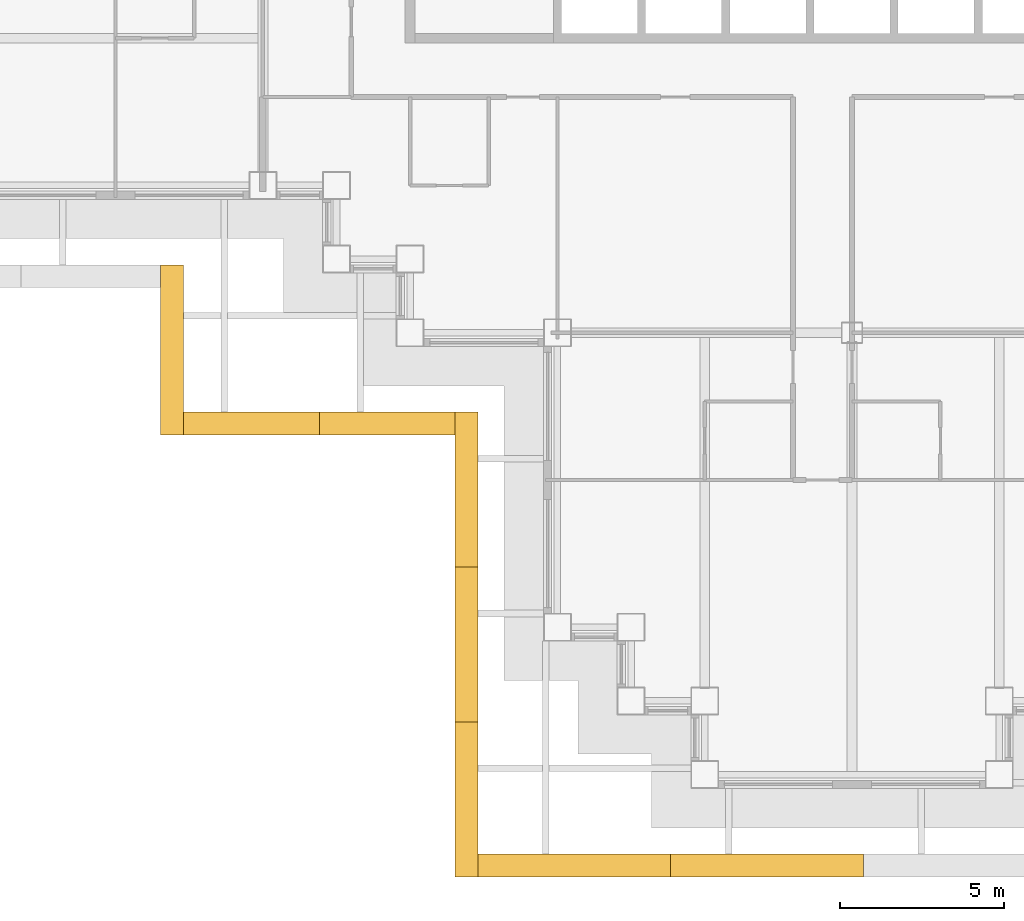
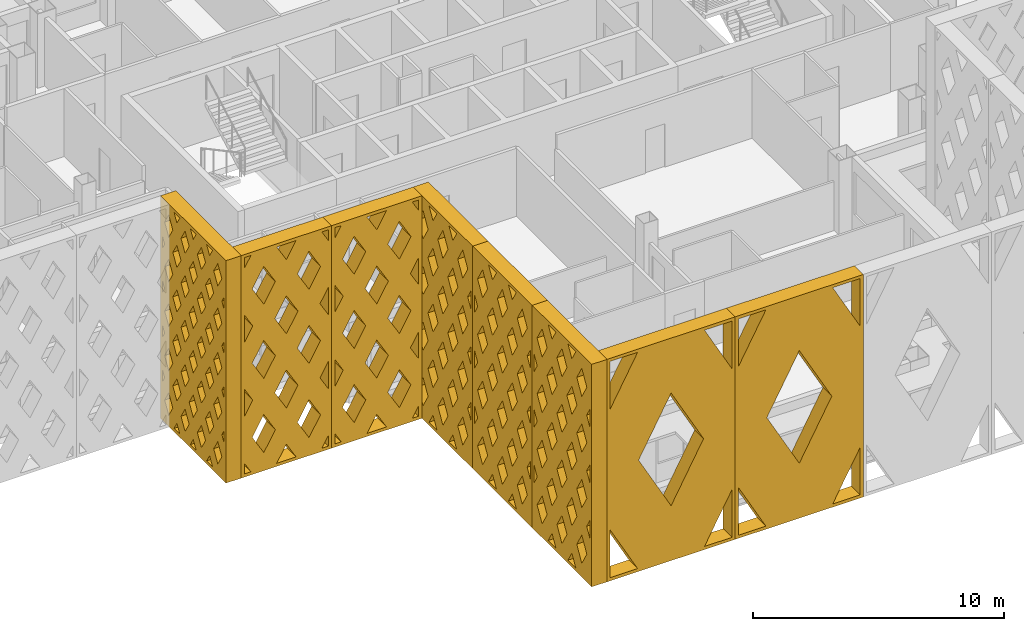
# One storey, part 15 of 21: 8 shading devices.
"""IFC4 building model written with IfcOpenShell, lengths in metres."""

import ifcopenshell
import ifcopenshell.guid

model = None  # the IFC model being written
_history = None  # IfcOwnerHistory: only IFC2X3 demands one
_inside = {}  # id of a spatial element -> (the spatial element, [elements in it])
_under = {}  # id of a project, library or spatial element -> (it, [spatial elements below it])
_declared = {}  # id of a project -> (the project, [libraries it declares])
_typed = {}  # id of a type object -> (the type object, [elements of that type])
_made_of = {}  # id of a material, layer set ... -> (it, [elements and type objects made of it])


def new_model(schema):
    """Start an empty IFC model of exactly this schema.

    Asked for "IFC4X3", IfcOpenShell would pick the latest addendum, in which some entities
    have other attributes; the version numbers below select the first issue.
    IFC2X3 requires an IfcOwnerHistory on every rooted entity: one is made here for all.
    """
    global model, _history
    if schema == "IFC4X3":
        model = ifcopenshell.file(schema_version=(4, 3, 0, 0))
    else:
        model = ifcopenshell.file(schema=schema)
    _inside.clear()
    _under.clear()
    _declared.clear()
    _typed.clear()
    _made_of.clear()
    _history = None
    if model.schema == "IFC2X3":
        org = make("IfcOrganization", Name="unknown")
        user = make(
            "IfcPersonAndOrganization",
            ThePerson=make("IfcPerson", FamilyName="unknown"),
            TheOrganization=org,
        )
        app = make(
            "IfcApplication",
            ApplicationDeveloper=org,
            Version="unknown",
            ApplicationFullName="unknown",
            ApplicationIdentifier="unknown",
        )
        _history = make(
            "IfcOwnerHistory",
            OwningUser=user,
            OwningApplication=app,
            ChangeAction="ADDED",
            CreationDate=0,
        )
    return model


def make(cls, **values):
    """One entity of the class cls with the attributes given. An attribute that is None is left unset."""
    return model.create_entity(
        cls, **{name: value for name, value in values.items() if value is not None}
    )


def rooted(cls, **values):
    """An entity with a GlobalId (a new one), such as an element, a storey or a relation."""
    return make(cls, GlobalId=ifcopenshell.guid.new(), OwnerHistory=_history, **values)


def si_unit(unit_type, name, prefix=None):
    """IfcSIUnit, for example si_unit("LENGTHUNIT", "METRE", prefix="MILLI")."""
    return make("IfcSIUnit", UnitType=unit_type, Prefix=prefix, Name=name)


def assignment(units):
    """IfcUnitAssignment: the units of a project."""
    return None if units is None else make("IfcUnitAssignment", Units=units)


def point(xyz):
    """IfcCartesianPoint."""
    return None if xyz is None else make("IfcCartesianPoint", Coordinates=xyz)


def direction(xyz):
    """IfcDirection."""
    return None if xyz is None else make("IfcDirection", DirectionRatios=xyz)


def frame(location, z_axis=None, x_axis=None):
    """IfcAxis2Placement3D, a coordinate frame: its origin and axes. An axis left out is left unset."""
    return make(
        "IfcAxis2Placement3D",
        Location=point(location),
        Axis=direction(z_axis),
        RefDirection=direction(x_axis),
    )


def origin():
    """The frame at (0, 0, 0) with its axes left unset."""
    return frame((0.0, 0.0, 0.0))


def place(relative_to, where):
    """IfcLocalPlacement: puts the frame where relative to a parent placement (None: the world)."""
    return make(
        "IfcLocalPlacement", PlacementRelTo=relative_to, RelativePlacement=where
    )


def context(
    kind, dimensions, precision=None, world=None, true_north=None, identifier=None
):
    """IfcGeometricRepresentationContext, for example the 3D "Model" context."""
    return make(
        "IfcGeometricRepresentationContext",
        ContextIdentifier=identifier,
        ContextType=kind,
        CoordinateSpaceDimension=dimensions,
        Precision=precision,
        WorldCoordinateSystem=world,
        TrueNorth=true_north,
    )


def subcontext(parent, identifier, kind, view, scale=None):
    """IfcGeometricRepresentationSubContext, for example "Body" below "Model"."""
    return make(
        "IfcGeometricRepresentationSubContext",
        ContextIdentifier=identifier,
        ContextType=kind,
        ParentContext=parent,
        TargetScale=scale,
        TargetView=view,
    )


def project(units=None, contexts=None):
    """IfcProject with its units and contexts."""
    return rooted(
        "IfcProject",
        Name="project",
        RepresentationContexts=contexts,
        UnitsInContext=assignment(units),
    )


def spatial(cls, under=None, at=None, **own):
    """A site, building, storey or space (cls), placed at a placement, below another one or the project."""
    s = rooted(cls, ObjectPlacement=at, **own)
    if under is not None:
        _under.setdefault(under.id(), (under, []))[1].append(s)
    return s


def polyline(points):
    """IfcPolyline through the points."""
    return make("IfcPolyline", Points=[point(p) for p in points])


def outline(outer, holes=None, kind="AREA"):
    """IfcArbitraryClosedProfileDef: a profile drawn as a closed curve; with holes, ...WithVoids."""
    if holes is None:
        return make("IfcArbitraryClosedProfileDef", ProfileType=kind, OuterCurve=outer)
    return make(
        "IfcArbitraryProfileDefWithVoids",
        ProfileType=kind,
        OuterCurve=outer,
        InnerCurves=holes,
    )


def extrude(swept, where, along, depth):
    """IfcExtrudedAreaSolid: the profile swept, set in the frame where, extruded along a direction by depth."""
    return make(
        "IfcExtrudedAreaSolid",
        SweptArea=swept,
        Position=where,
        ExtrudedDirection=direction(along),
        Depth=depth,
    )


def shape(context_of_items, identifier, shape_type, items):
    """IfcShapeRepresentation: the items that make up one representation, for example the "Body"."""
    return make(
        "IfcShapeRepresentation",
        ContextOfItems=context_of_items,
        RepresentationIdentifier=identifier,
        RepresentationType=shape_type,
        Items=items,
    )


def material(Name=None, Category=None):
    """IfcMaterial."""
    return make("IfcMaterial", Name=Name, Category=Category)


def made_of(thing, what):
    """Note that an element or type object is made of a material, layer set ...; save() writes the relation."""
    if what is not None:
        _made_of.setdefault(what.id(), (what, []))[1].append(thing)
    return thing


def type_object(cls, material=None, **own):
    """A type object (cls), such as IfcWallType, which elements share."""
    return made_of(rooted(cls, **own), material)


def element(
    cls,
    number,
    at=None,
    inside=None,
    cuts=None,
    type_object=None,
    material=None,
    context=None,
    identifier="Body",
    shape_type=None,
    held_by="IfcProductDefinitionShape",
    body=None,
    shapes=None,
    **own,
):
    """One element of the class cls, such as IfcWall. Its Tag is "e" and its number.

    at: its placement. inside: the storey or other place that contains it. cuts: it is an
    opening in that element (IfcRelVoidsElement). A single representation is given by context,
    identifier, shape_type and body (its items); several are given by shapes. held_by: the class
    of the entity that holds the representations. save() writes the other relations.
    """
    e = rooted(cls, Tag="e%d" % number, ObjectPlacement=at, **own)
    if body is not None:
        shapes = [shape(context, identifier, shape_type, body)]
    if shapes is not None:
        e.Representation = make(held_by, Representations=shapes)
    if inside is not None:
        _inside.setdefault(inside.id(), (inside, []))[1].append(e)
    if cuts is not None:
        rooted(
            "IfcRelVoidsElement", RelatingBuildingElement=cuts, RelatedOpeningElement=e
        )
    if type_object is not None:
        _typed.setdefault(type_object.id(), (type_object, []))[1].append(e)
    return made_of(e, material)


def aggregate(whole, parts):
    """IfcRelAggregates: a whole, such as a stair, and the parts it consists of."""
    return rooted("IfcRelAggregates", RelatingObject=whole, RelatedObjects=parts)


def save(model, path):
    """Write the relations noted so far, then the file.

    IfcRelAggregates (storeys below a building ...), IfcRelContainedInSpatialStructure (elements
    in a storey), IfcRelDefinesByType, IfcRelAssociatesMaterial and IfcRelDeclares: one each for
    every whole, place, type object, material and project.
    """
    for whole, parts in _under.values():
        aggregate(whole, parts)
    for where, things in _inside.values():
        rooted(
            "IfcRelContainedInSpatialStructure",
            RelatedElements=things,
            RelatingStructure=where,
        )
    for kind, things in _typed.values():
        rooted("IfcRelDefinesByType", RelatedObjects=things, RelatingType=kind)
    for what, things in _made_of.values():
        rooted("IfcRelAssociatesMaterial", RelatedObjects=things, RelatingMaterial=what)
    for by, libraries in _declared.values():
        rooted("IfcRelDeclares", RelatingContext=by, RelatedDefinitions=libraries)
    model.write(path)


model = new_model("IFC4")

# Units and contexts
model_context = context("Model", 3, precision=1e-05, world=origin(), true_north=direction((0.0, 1.0)))
body_context = subcontext(model_context, "Body", "Model", "MODEL_VIEW")
ifc_project = project(units=[si_unit("LENGTHUNIT", "METRE"), si_unit("AREAUNIT", "SQUARE_METRE"), si_unit("VOLUMEUNIT", "CUBIC_METRE"), si_unit("PLANEANGLEUNIT", "RADIAN"), si_unit("MASSUNIT", "GRAM", prefix="KILO")], contexts=[model_context])

# Site, building, storey
site_placement = place(None, origin())
site = spatial("IfcSite", under=ifc_project, at=site_placement, CompositionType="ELEMENT")
building_placement = place(site_placement, origin())
building = spatial("IfcBuilding", under=site, at=building_placement, Name="Caravel Reach Hotel and Residences", CompositionType="ELEMENT")
storey_placement = place(building_placement, frame((0.0, 0.0, 129.60009765625)))
storey = spatial("IfcBuildingStorey", under=building, at=storey_placement, Name="L32", CompositionType="ELEMENT", Elevation=129.60009765625)

# Shading devices
ifc_material_1 = material(Name="Black powder-coated aluminium", Category="aluminium")
shading_device_type_1 = type_object("IfcShadingDeviceType", Name="Diamond lattice screen panel 4150 x 10800", PredefinedType="USERDEFINED", material=ifc_material_1)
shading_device_1_placement = place(storey_placement, frame((11.074951171875, 11.074951171875, 0.0), z_axis=(0.0, -1.0, 0.0), x_axis=(1.0, 0.0, 0.0)))
element("IfcShadingDevice", 1, at=shading_device_1_placement, inside=storey, type_object=shading_device_type_1, Name="Lattice screen L32-L34 20.1", ObjectType="SCREEN", PredefinedType="USERDEFINED", context=body_context, shape_type="SweptSolid", body=[
    extrude(outline(polyline([(0.0, 0.0), (4.14990234375, 0.0), (4.14990234375, 10.800048828125), (0.0, 10.800048828125), (0.0, 0.0)]), holes=[polyline([(0.445556640625, 0.14990234375), (0.14990234375, 0.662841796875), (0.14990234375, 0.14990234375), (0.445556640625, 0.14990234375)]), polyline([(0.531982421875, 3.60009765625), (0.14990234375, 4.2626953125), (0.14990234375, 2.937255859375), (0.531982421875, 3.60009765625)]), polyline([(0.531982421875, 7.199951171875), (0.14990234375, 7.86279296875), (0.14990234375, 6.537353515625), (0.531982421875, 7.199951171875)]), polyline([(0.14990234375, 10.13720703125), (0.445556640625, 10.64990234375), (0.14990234375, 10.64990234375), (0.14990234375, 10.13720703125)]), polyline([(1.03759765625, 2.722900390625), (0.505615234375, 1.800048828125), (1.03759765625, 0.876953125), (1.569580078125, 1.800048828125), (1.03759765625, 2.722900390625)]), polyline([(1.03759765625, 6.322998046875), (0.505615234375, 5.39990234375), (1.03759765625, 4.47705078125), (1.569580078125, 5.39990234375), (1.03759765625, 6.322998046875)]), polyline([(1.03759765625, 9.9228515625), (0.505615234375, 9.0), (1.03759765625, 8.0771484375), (1.569580078125, 9.0), (1.03759765625, 9.9228515625)]), polyline([(2.074951171875, 0.9228515625), (1.62939453125, 0.14990234375), (2.5205078125, 0.14990234375), (2.074951171875, 0.9228515625)]), polyline([(2.074951171875, 4.52294921875), (1.54296875, 3.60009765625), (2.074951171875, 2.677001953125), (2.60693359375, 3.60009765625), (2.074951171875, 4.52294921875)]), polyline([(2.074951171875, 8.123046875), (1.54296875, 7.199951171875), (2.074951171875, 6.277099609375), (2.60693359375, 7.199951171875), (2.074951171875, 8.123046875)]), polyline([(2.074951171875, 9.876953125), (2.5205078125, 10.64990234375), (1.62939453125, 10.64990234375), (2.074951171875, 9.876953125)]), polyline([(3.112548828125, 2.722900390625), (2.58056640625, 1.800048828125), (3.112548828125, 0.876953125), (3.64453125, 1.800048828125), (3.112548828125, 2.722900390625)]), polyline([(3.112548828125, 6.322998046875), (2.58056640625, 5.39990234375), (3.112548828125, 4.47705078125), (3.64453125, 5.39990234375), (3.112548828125, 6.322998046875)]), polyline([(3.112548828125, 9.9228515625), (2.58056640625, 9.0), (3.112548828125, 8.0771484375), (3.64453125, 9.0), (3.112548828125, 9.9228515625)]), polyline([(4.0, 0.662841796875), (3.70458984375, 0.14990234375), (4.0, 0.14990234375), (4.0, 0.662841796875)]), polyline([(3.617919921875, 3.60009765625), (4.0, 2.937255859375), (4.0, 4.2626953125), (3.617919921875, 3.60009765625)]), polyline([(3.617919921875, 7.199951171875), (4.0, 6.537353515625), (4.0, 7.86279296875), (3.617919921875, 7.199951171875)]), polyline([(3.70458984375, 10.64990234375), (4.0, 10.13720703125), (4.0, 10.64990234375), (3.70458984375, 10.64990234375)])]), origin(), (0.0, 0.0, 1.0), 0.699951171875),
])
shading_device_2_placement = place(storey_placement, frame((15.22509765625, 11.074951171875, 0.0), z_axis=(0.0, -1.0, 0.0), x_axis=(1.0, 0.0, 0.0)))
element("IfcShadingDevice", 2, at=shading_device_2_placement, inside=storey, type_object=shading_device_type_1, Name="Lattice screen L32-L34 20.2", ObjectType="SCREEN", PredefinedType="USERDEFINED", context=body_context, shape_type="SweptSolid", body=[
    extrude(outline(polyline([(0.0, 0.0), (4.14990234375, 0.0), (4.14990234375, 10.800048828125), (0.0, 10.800048828125), (0.0, 0.0)]), holes=[polyline([(0.445556640625, 0.14990234375), (0.14990234375, 0.662841796875), (0.14990234375, 0.14990234375), (0.445556640625, 0.14990234375)]), polyline([(0.531982421875, 3.60009765625), (0.14990234375, 4.2626953125), (0.14990234375, 2.937255859375), (0.531982421875, 3.60009765625)]), polyline([(0.531982421875, 7.199951171875), (0.14990234375, 7.86279296875), (0.14990234375, 6.537353515625), (0.531982421875, 7.199951171875)]), polyline([(0.14990234375, 10.13720703125), (0.445556640625, 10.64990234375), (0.14990234375, 10.64990234375), (0.14990234375, 10.13720703125)]), polyline([(1.03759765625, 2.722900390625), (0.505615234375, 1.800048828125), (1.03759765625, 0.876953125), (1.569580078125, 1.800048828125), (1.03759765625, 2.722900390625)]), polyline([(1.03759765625, 6.322998046875), (0.505615234375, 5.39990234375), (1.03759765625, 4.47705078125), (1.569580078125, 5.39990234375), (1.03759765625, 6.322998046875)]), polyline([(1.03759765625, 9.9228515625), (0.505615234375, 9.0), (1.03759765625, 8.0771484375), (1.569580078125, 9.0), (1.03759765625, 9.9228515625)]), polyline([(2.074951171875, 0.9228515625), (1.62939453125, 0.14990234375), (2.5205078125, 0.14990234375), (2.074951171875, 0.9228515625)]), polyline([(2.074951171875, 4.52294921875), (1.54296875, 3.60009765625), (2.074951171875, 2.677001953125), (2.60693359375, 3.60009765625), (2.074951171875, 4.52294921875)]), polyline([(2.074951171875, 8.123046875), (1.54296875, 7.199951171875), (2.074951171875, 6.277099609375), (2.60693359375, 7.199951171875), (2.074951171875, 8.123046875)]), polyline([(2.074951171875, 9.876953125), (2.5205078125, 10.64990234375), (1.62939453125, 10.64990234375), (2.074951171875, 9.876953125)]), polyline([(3.112548828125, 2.722900390625), (2.58056640625, 1.800048828125), (3.112548828125, 0.876953125), (3.64453125, 1.800048828125), (3.112548828125, 2.722900390625)]), polyline([(3.112548828125, 6.322998046875), (2.58056640625, 5.39990234375), (3.112548828125, 4.47705078125), (3.64453125, 5.39990234375), (3.112548828125, 6.322998046875)]), polyline([(3.112548828125, 9.9228515625), (2.58056640625, 9.0), (3.112548828125, 8.0771484375), (3.64453125, 9.0), (3.112548828125, 9.9228515625)]), polyline([(4.0, 0.662841796875), (3.70458984375, 0.14990234375), (4.0, 0.14990234375), (4.0, 0.662841796875)]), polyline([(3.617919921875, 3.60009765625), (4.0, 2.937255859375), (4.0, 4.2626953125), (3.617919921875, 3.60009765625)]), polyline([(3.617919921875, 7.199951171875), (4.0, 6.537353515625), (4.0, 7.86279296875), (3.617919921875, 7.199951171875)]), polyline([(3.70458984375, 10.64990234375), (4.0, 10.13720703125), (4.0, 10.64990234375), (3.70458984375, 10.64990234375)])]), origin(), (0.0, 0.0, 1.0), 0.699951171875),
])
ifc_material_2 = material(Name="Black powder-coated aluminium", Category="aluminium")
shading_device_type_2 = type_object("IfcShadingDeviceType", Name="Diamond lattice screen panel 4733 x 10800", PredefinedType="USERDEFINED", material=ifc_material_2)
shading_device_3_placement = place(storey_placement, frame((20.074951171875, 11.074951171875, 0.0), z_axis=(-1.0, 0.0, 0.0), x_axis=(0.0, -1.0, 0.0)))
element("IfcShadingDevice", 3, at=shading_device_3_placement, inside=storey, type_object=shading_device_type_2, Name="Lattice screen L32-L34 1.1", ObjectType="SCREEN", PredefinedType="USERDEFINED", context=body_context, shape_type="SweptSolid", body=[
    extrude(outline(polyline([(0.0, 0.0), (4.7333984375, 0.0), (4.7333984375, 10.800048828125), (0.0, 10.800048828125), (0.0, 0.0)]), holes=[polyline([(0.4013671875, 2.699951171875), (0.14990234375, 3.130126953125), (0.14990234375, 2.269775390625), (0.4013671875, 2.699951171875)]), polyline([(0.4013671875, 5.39990234375), (0.14990234375, 5.830078125), (0.14990234375, 4.969970703125), (0.4013671875, 5.39990234375)]), polyline([(0.4013671875, 8.10009765625), (0.14990234375, 8.530029296875), (0.14990234375, 7.669921875), (0.4013671875, 8.10009765625)]), polyline([(0.788818359375, 2.036865234375), (0.387451171875, 1.35009765625), (0.788818359375, 0.6630859375), (1.190185546875, 1.35009765625), (0.788818359375, 2.036865234375)]), polyline([(0.788818359375, 4.73681640625), (0.387451171875, 4.050048828125), (0.788818359375, 3.36328125), (1.190185546875, 4.050048828125), (0.788818359375, 4.73681640625)]), polyline([(0.788818359375, 7.436767578125), (0.387451171875, 6.75), (0.788818359375, 6.063232421875), (1.190185546875, 6.75), (0.788818359375, 7.436767578125)]), polyline([(0.788818359375, 10.13671875), (0.387451171875, 9.449951171875), (0.788818359375, 8.76318359375), (1.190185546875, 9.449951171875), (0.788818359375, 10.13671875)]), polyline([(1.577880859375, 0.686767578125), (1.26416015625, 0.14990234375), (1.8916015625, 0.14990234375), (1.577880859375, 0.686767578125)]), polyline([(1.577880859375, 3.38671875), (1.176513671875, 2.699951171875), (1.577880859375, 2.01318359375), (1.979248046875, 2.699951171875), (1.577880859375, 3.38671875)]), polyline([(1.577880859375, 6.0869140625), (1.176513671875, 5.39990234375), (1.577880859375, 4.713134765625), (1.979248046875, 5.39990234375), (1.577880859375, 6.0869140625)]), polyline([(1.577880859375, 8.786865234375), (1.176513671875, 8.10009765625), (1.577880859375, 7.4130859375), (1.979248046875, 8.10009765625), (1.577880859375, 8.786865234375)]), polyline([(1.577880859375, 10.11328125), (1.8916015625, 10.64990234375), (1.26416015625, 10.64990234375), (1.577880859375, 10.11328125)]), polyline([(2.36669921875, 2.036865234375), (1.96533203125, 1.35009765625), (2.36669921875, 0.6630859375), (2.76806640625, 1.35009765625), (2.36669921875, 2.036865234375)]), polyline([(2.36669921875, 4.73681640625), (1.96533203125, 4.050048828125), (2.36669921875, 3.36328125), (2.76806640625, 4.050048828125), (2.36669921875, 4.73681640625)]), polyline([(2.36669921875, 7.436767578125), (1.96533203125, 6.75), (2.36669921875, 6.063232421875), (2.76806640625, 6.75), (2.36669921875, 7.436767578125)]), polyline([(2.36669921875, 10.13671875), (1.96533203125, 9.449951171875), (2.36669921875, 8.76318359375), (2.76806640625, 9.449951171875), (2.36669921875, 10.13671875)]), polyline([(3.155517578125, 0.686767578125), (2.841796875, 0.14990234375), (3.46923828125, 0.14990234375), (3.155517578125, 0.686767578125)]), polyline([(3.155517578125, 3.38671875), (2.754150390625, 2.699951171875), (3.155517578125, 2.01318359375), (3.556884765625, 2.699951171875), (3.155517578125, 3.38671875)]), polyline([(3.155517578125, 6.0869140625), (2.754150390625, 5.39990234375), (3.155517578125, 4.713134765625), (3.556884765625, 5.39990234375), (3.155517578125, 6.0869140625)]), polyline([(3.155517578125, 8.786865234375), (2.754150390625, 8.10009765625), (3.155517578125, 7.4130859375), (3.556884765625, 8.10009765625), (3.155517578125, 8.786865234375)]), polyline([(3.155517578125, 10.11328125), (3.46923828125, 10.64990234375), (2.841796875, 10.64990234375), (3.155517578125, 10.11328125)]), polyline([(3.9443359375, 2.036865234375), (3.54296875, 1.35009765625), (3.9443359375, 0.6630859375), (4.345703125, 1.35009765625), (3.9443359375, 2.036865234375)]), polyline([(3.9443359375, 4.73681640625), (3.54296875, 4.050048828125), (3.9443359375, 3.36328125), (4.345703125, 4.050048828125), (3.9443359375, 4.73681640625)]), polyline([(3.9443359375, 7.436767578125), (3.54296875, 6.75), (3.9443359375, 6.063232421875), (4.345703125, 6.75), (3.9443359375, 7.436767578125)]), polyline([(3.9443359375, 10.13671875), (3.54296875, 9.449951171875), (3.9443359375, 8.76318359375), (4.345703125, 9.449951171875), (3.9443359375, 10.13671875)]), polyline([(4.33203125, 2.699951171875), (4.583251953125, 2.269775390625), (4.583251953125, 3.130126953125), (4.33203125, 2.699951171875)]), polyline([(4.33203125, 5.39990234375), (4.583251953125, 4.969970703125), (4.583251953125, 5.830078125), (4.33203125, 5.39990234375)]), polyline([(4.33203125, 8.10009765625), (4.583251953125, 7.669921875), (4.583251953125, 8.530029296875), (4.33203125, 8.10009765625)])]), origin(), (0.0, 0.0, 1.0), 0.699951171875),
])
shading_device_4_placement = place(storey_placement, frame((20.074951171875, 6.341552734375, 0.0), z_axis=(-1.0, 0.0, 0.0), x_axis=(0.0, -1.0, 0.0)))
element("IfcShadingDevice", 4, at=shading_device_4_placement, inside=storey, type_object=shading_device_type_2, Name="Lattice screen L32-L34 1.2", ObjectType="SCREEN", PredefinedType="USERDEFINED", context=body_context, shape_type="SweptSolid", body=[
    extrude(outline(polyline([(0.0, 0.0), (4.7333984375, 0.0), (4.7333984375, 10.800048828125), (0.0, 10.800048828125), (0.0, 0.0)]), holes=[polyline([(0.4013671875, 2.699951171875), (0.14990234375, 3.130126953125), (0.14990234375, 2.269775390625), (0.4013671875, 2.699951171875)]), polyline([(0.4013671875, 5.39990234375), (0.14990234375, 5.830078125), (0.14990234375, 4.969970703125), (0.4013671875, 5.39990234375)]), polyline([(0.4013671875, 8.10009765625), (0.14990234375, 8.530029296875), (0.14990234375, 7.669921875), (0.4013671875, 8.10009765625)]), polyline([(0.788818359375, 2.036865234375), (0.387451171875, 1.35009765625), (0.788818359375, 0.6630859375), (1.190185546875, 1.35009765625), (0.788818359375, 2.036865234375)]), polyline([(0.788818359375, 4.73681640625), (0.387451171875, 4.050048828125), (0.788818359375, 3.36328125), (1.190185546875, 4.050048828125), (0.788818359375, 4.73681640625)]), polyline([(0.788818359375, 7.436767578125), (0.387451171875, 6.75), (0.788818359375, 6.063232421875), (1.190185546875, 6.75), (0.788818359375, 7.436767578125)]), polyline([(0.788818359375, 10.13671875), (0.387451171875, 9.449951171875), (0.788818359375, 8.76318359375), (1.190185546875, 9.449951171875), (0.788818359375, 10.13671875)]), polyline([(1.577880859375, 0.686767578125), (1.26416015625, 0.14990234375), (1.8916015625, 0.14990234375), (1.577880859375, 0.686767578125)]), polyline([(1.577880859375, 3.38671875), (1.176513671875, 2.699951171875), (1.577880859375, 2.01318359375), (1.979248046875, 2.699951171875), (1.577880859375, 3.38671875)]), polyline([(1.577880859375, 6.0869140625), (1.176513671875, 5.39990234375), (1.577880859375, 4.713134765625), (1.979248046875, 5.39990234375), (1.577880859375, 6.0869140625)]), polyline([(1.577880859375, 8.786865234375), (1.176513671875, 8.10009765625), (1.577880859375, 7.4130859375), (1.979248046875, 8.10009765625), (1.577880859375, 8.786865234375)]), polyline([(1.577880859375, 10.11328125), (1.8916015625, 10.64990234375), (1.26416015625, 10.64990234375), (1.577880859375, 10.11328125)]), polyline([(2.36669921875, 2.036865234375), (1.96533203125, 1.35009765625), (2.36669921875, 0.6630859375), (2.76806640625, 1.35009765625), (2.36669921875, 2.036865234375)]), polyline([(2.36669921875, 4.73681640625), (1.96533203125, 4.050048828125), (2.36669921875, 3.36328125), (2.76806640625, 4.050048828125), (2.36669921875, 4.73681640625)]), polyline([(2.36669921875, 7.436767578125), (1.96533203125, 6.75), (2.36669921875, 6.063232421875), (2.76806640625, 6.75), (2.36669921875, 7.436767578125)]), polyline([(2.36669921875, 10.13671875), (1.96533203125, 9.449951171875), (2.36669921875, 8.76318359375), (2.76806640625, 9.449951171875), (2.36669921875, 10.13671875)]), polyline([(3.155517578125, 0.686767578125), (2.841796875, 0.14990234375), (3.46923828125, 0.14990234375), (3.155517578125, 0.686767578125)]), polyline([(3.155517578125, 3.38671875), (2.754150390625, 2.699951171875), (3.155517578125, 2.01318359375), (3.556884765625, 2.699951171875), (3.155517578125, 3.38671875)]), polyline([(3.155517578125, 6.0869140625), (2.754150390625, 5.39990234375), (3.155517578125, 4.713134765625), (3.556884765625, 5.39990234375), (3.155517578125, 6.0869140625)]), polyline([(3.155517578125, 8.786865234375), (2.754150390625, 8.10009765625), (3.155517578125, 7.4130859375), (3.556884765625, 8.10009765625), (3.155517578125, 8.786865234375)]), polyline([(3.155517578125, 10.11328125), (3.46923828125, 10.64990234375), (2.841796875, 10.64990234375), (3.155517578125, 10.11328125)]), polyline([(3.9443359375, 2.036865234375), (3.54296875, 1.35009765625), (3.9443359375, 0.6630859375), (4.345703125, 1.35009765625), (3.9443359375, 2.036865234375)]), polyline([(3.9443359375, 4.73681640625), (3.54296875, 4.050048828125), (3.9443359375, 3.36328125), (4.345703125, 4.050048828125), (3.9443359375, 4.73681640625)]), polyline([(3.9443359375, 7.436767578125), (3.54296875, 6.75), (3.9443359375, 6.063232421875), (4.345703125, 6.75), (3.9443359375, 7.436767578125)]), polyline([(3.9443359375, 10.13671875), (3.54296875, 9.449951171875), (3.9443359375, 8.76318359375), (4.345703125, 9.449951171875), (3.9443359375, 10.13671875)]), polyline([(4.33203125, 2.699951171875), (4.583251953125, 2.269775390625), (4.583251953125, 3.130126953125), (4.33203125, 2.699951171875)]), polyline([(4.33203125, 5.39990234375), (4.583251953125, 4.969970703125), (4.583251953125, 5.830078125), (4.33203125, 5.39990234375)]), polyline([(4.33203125, 8.10009765625), (4.583251953125, 7.669921875), (4.583251953125, 8.530029296875), (4.33203125, 8.10009765625)])]), origin(), (0.0, 0.0, 1.0), 0.699951171875),
])
shading_device_5_placement = place(storey_placement, frame((20.074951171875, 1.6083984375, 0.0), z_axis=(-1.0, 0.0, 0.0), x_axis=(0.0, -1.0, 0.0)))
element("IfcShadingDevice", 5, at=shading_device_5_placement, inside=storey, type_object=shading_device_type_2, Name="Lattice screen L32-L34 1.3", ObjectType="SCREEN", PredefinedType="USERDEFINED", context=body_context, shape_type="SweptSolid", body=[
    extrude(outline(polyline([(0.0, 0.0), (4.7333984375, 0.0), (4.7333984375, 10.800048828125), (0.0, 10.800048828125), (0.0, 0.0)]), holes=[polyline([(0.4013671875, 2.699951171875), (0.14990234375, 3.130126953125), (0.14990234375, 2.269775390625), (0.4013671875, 2.699951171875)]), polyline([(0.4013671875, 5.39990234375), (0.14990234375, 5.830078125), (0.14990234375, 4.969970703125), (0.4013671875, 5.39990234375)]), polyline([(0.4013671875, 8.10009765625), (0.14990234375, 8.530029296875), (0.14990234375, 7.669921875), (0.4013671875, 8.10009765625)]), polyline([(0.788818359375, 2.036865234375), (0.387451171875, 1.35009765625), (0.788818359375, 0.6630859375), (1.190185546875, 1.35009765625), (0.788818359375, 2.036865234375)]), polyline([(0.788818359375, 4.73681640625), (0.387451171875, 4.050048828125), (0.788818359375, 3.36328125), (1.190185546875, 4.050048828125), (0.788818359375, 4.73681640625)]), polyline([(0.788818359375, 7.436767578125), (0.387451171875, 6.75), (0.788818359375, 6.063232421875), (1.190185546875, 6.75), (0.788818359375, 7.436767578125)]), polyline([(0.788818359375, 10.13671875), (0.387451171875, 9.449951171875), (0.788818359375, 8.76318359375), (1.190185546875, 9.449951171875), (0.788818359375, 10.13671875)]), polyline([(1.577880859375, 0.686767578125), (1.26416015625, 0.14990234375), (1.8916015625, 0.14990234375), (1.577880859375, 0.686767578125)]), polyline([(1.577880859375, 3.38671875), (1.176513671875, 2.699951171875), (1.577880859375, 2.01318359375), (1.979248046875, 2.699951171875), (1.577880859375, 3.38671875)]), polyline([(1.577880859375, 6.0869140625), (1.176513671875, 5.39990234375), (1.577880859375, 4.713134765625), (1.979248046875, 5.39990234375), (1.577880859375, 6.0869140625)]), polyline([(1.577880859375, 8.786865234375), (1.176513671875, 8.10009765625), (1.577880859375, 7.4130859375), (1.979248046875, 8.10009765625), (1.577880859375, 8.786865234375)]), polyline([(1.577880859375, 10.11328125), (1.8916015625, 10.64990234375), (1.26416015625, 10.64990234375), (1.577880859375, 10.11328125)]), polyline([(2.36669921875, 2.036865234375), (1.96533203125, 1.35009765625), (2.36669921875, 0.6630859375), (2.76806640625, 1.35009765625), (2.36669921875, 2.036865234375)]), polyline([(2.36669921875, 4.73681640625), (1.96533203125, 4.050048828125), (2.36669921875, 3.36328125), (2.76806640625, 4.050048828125), (2.36669921875, 4.73681640625)]), polyline([(2.36669921875, 7.436767578125), (1.96533203125, 6.75), (2.36669921875, 6.063232421875), (2.76806640625, 6.75), (2.36669921875, 7.436767578125)]), polyline([(2.36669921875, 10.13671875), (1.96533203125, 9.449951171875), (2.36669921875, 8.76318359375), (2.76806640625, 9.449951171875), (2.36669921875, 10.13671875)]), polyline([(3.155517578125, 0.686767578125), (2.841796875, 0.14990234375), (3.46923828125, 0.14990234375), (3.155517578125, 0.686767578125)]), polyline([(3.155517578125, 3.38671875), (2.754150390625, 2.699951171875), (3.155517578125, 2.01318359375), (3.556884765625, 2.699951171875), (3.155517578125, 3.38671875)]), polyline([(3.155517578125, 6.0869140625), (2.754150390625, 5.39990234375), (3.155517578125, 4.713134765625), (3.556884765625, 5.39990234375), (3.155517578125, 6.0869140625)]), polyline([(3.155517578125, 8.786865234375), (2.754150390625, 8.10009765625), (3.155517578125, 7.4130859375), (3.556884765625, 8.10009765625), (3.155517578125, 8.786865234375)]), polyline([(3.155517578125, 10.11328125), (3.46923828125, 10.64990234375), (2.841796875, 10.64990234375), (3.155517578125, 10.11328125)]), polyline([(3.9443359375, 2.036865234375), (3.54296875, 1.35009765625), (3.9443359375, 0.6630859375), (4.345703125, 1.35009765625), (3.9443359375, 2.036865234375)]), polyline([(3.9443359375, 4.73681640625), (3.54296875, 4.050048828125), (3.9443359375, 3.36328125), (4.345703125, 4.050048828125), (3.9443359375, 4.73681640625)]), polyline([(3.9443359375, 7.436767578125), (3.54296875, 6.75), (3.9443359375, 6.063232421875), (4.345703125, 6.75), (3.9443359375, 7.436767578125)]), polyline([(3.9443359375, 10.13671875), (3.54296875, 9.449951171875), (3.9443359375, 8.76318359375), (4.345703125, 9.449951171875), (3.9443359375, 10.13671875)]), polyline([(4.33203125, 2.699951171875), (4.583251953125, 2.269775390625), (4.583251953125, 3.130126953125), (4.33203125, 2.699951171875)]), polyline([(4.33203125, 5.39990234375), (4.583251953125, 4.969970703125), (4.583251953125, 5.830078125), (4.33203125, 5.39990234375)]), polyline([(4.33203125, 8.10009765625), (4.583251953125, 7.669921875), (4.583251953125, 8.530029296875), (4.33203125, 8.10009765625)])]), origin(), (0.0, 0.0, 1.0), 0.699951171875),
])
ifc_material_3 = material(Name="Black powder-coated aluminium", Category="aluminium")
shading_device_type_3 = type_object("IfcShadingDeviceType", Name="Diamond lattice screen panel 5200 x 10800", PredefinedType="USERDEFINED", material=ifc_material_3)
shading_device_6_placement = place(storey_placement, frame((11.074951171875, 15.574951171875, 0.0), z_axis=(-1.0, 0.0, 0.0), x_axis=(0.0, -1.0, 0.0)))
element("IfcShadingDevice", 6, at=shading_device_6_placement, inside=storey, type_object=shading_device_type_3, Name="Lattice screen L32-L34 19.1", ObjectType="SCREEN", PredefinedType="USERDEFINED", context=body_context, shape_type="SweptSolid", body=[
    extrude(outline(polyline([(0.0, 0.0), (5.199951171875, 0.0), (5.199951171875, 10.800048828125), (0.0, 10.800048828125), (0.0, 0.0)]), holes=[polyline([(0.3271484375, 2.159912109375), (0.14990234375, 2.454345703125), (0.14990234375, 1.86572265625), (0.3271484375, 2.159912109375)]), polyline([(0.3271484375, 4.320068359375), (0.14990234375, 4.6142578125), (0.14990234375, 4.025634765625), (0.3271484375, 4.320068359375)]), polyline([(0.3271484375, 6.47998046875), (0.14990234375, 6.774169921875), (0.14990234375, 6.185791015625), (0.3271484375, 6.47998046875)]), polyline([(0.3271484375, 8.639892578125), (0.14990234375, 8.934326171875), (0.14990234375, 8.345703125), (0.3271484375, 8.639892578125)]), polyline([(0.64990234375, 1.62353515625), (0.322998046875, 1.080078125), (0.64990234375, 0.536376953125), (0.97705078125, 1.080078125), (0.64990234375, 1.62353515625)]), polyline([(0.64990234375, 3.783447265625), (0.322998046875, 3.239990234375), (0.64990234375, 2.696533203125), (0.97705078125, 3.239990234375), (0.64990234375, 3.783447265625)]), polyline([(0.64990234375, 5.943603515625), (0.322998046875, 5.39990234375), (0.64990234375, 4.8564453125), (0.97705078125, 5.39990234375), (0.64990234375, 5.943603515625)]), polyline([(0.64990234375, 8.103515625), (0.322998046875, 7.56005859375), (0.64990234375, 7.016357421875), (0.97705078125, 7.56005859375), (0.64990234375, 8.103515625)]), polyline([(0.64990234375, 10.263427734375), (0.322998046875, 9.719970703125), (0.64990234375, 9.176513671875), (0.97705078125, 9.719970703125), (0.64990234375, 10.263427734375)]), polyline([(1.300048828125, 0.54345703125), (1.063232421875, 0.14990234375), (1.536865234375, 0.14990234375), (1.300048828125, 0.54345703125)]), polyline([(1.300048828125, 2.70361328125), (0.972900390625, 2.159912109375), (1.300048828125, 1.616455078125), (1.627197265625, 2.159912109375), (1.300048828125, 2.70361328125)]), polyline([(1.300048828125, 4.863525390625), (0.972900390625, 4.320068359375), (1.300048828125, 3.7763671875), (1.627197265625, 4.320068359375), (1.300048828125, 4.863525390625)]), polyline([(1.300048828125, 7.0234375), (0.972900390625, 6.47998046875), (1.300048828125, 5.9365234375), (1.627197265625, 6.47998046875), (1.300048828125, 7.0234375)]), polyline([(1.300048828125, 9.18359375), (0.972900390625, 8.639892578125), (1.300048828125, 8.096435546875), (1.627197265625, 8.639892578125), (1.300048828125, 9.18359375)]), polyline([(1.300048828125, 10.256591796875), (1.536865234375, 10.64990234375), (1.063232421875, 10.64990234375), (1.300048828125, 10.256591796875)]), polyline([(1.949951171875, 1.62353515625), (1.622802734375, 1.080078125), (1.949951171875, 0.536376953125), (2.277099609375, 1.080078125), (1.949951171875, 1.62353515625)]), polyline([(1.949951171875, 3.783447265625), (1.622802734375, 3.239990234375), (1.949951171875, 2.696533203125), (2.277099609375, 3.239990234375), (1.949951171875, 3.783447265625)]), polyline([(1.949951171875, 5.943603515625), (1.622802734375, 5.39990234375), (1.949951171875, 4.8564453125), (2.277099609375, 5.39990234375), (1.949951171875, 5.943603515625)]), polyline([(1.949951171875, 8.103515625), (1.622802734375, 7.56005859375), (1.949951171875, 7.016357421875), (2.277099609375, 7.56005859375), (1.949951171875, 8.103515625)]), polyline([(1.949951171875, 10.263427734375), (1.622802734375, 9.719970703125), (1.949951171875, 9.176513671875), (2.277099609375, 9.719970703125), (1.949951171875, 10.263427734375)]), polyline([(2.60009765625, 0.54345703125), (2.363037109375, 0.14990234375), (2.8369140625, 0.14990234375), (2.60009765625, 0.54345703125)]), polyline([(2.60009765625, 2.70361328125), (2.27294921875, 2.159912109375), (2.60009765625, 1.616455078125), (2.927001953125, 2.159912109375), (2.60009765625, 2.70361328125)]), polyline([(2.60009765625, 4.863525390625), (2.27294921875, 4.320068359375), (2.60009765625, 3.7763671875), (2.927001953125, 4.320068359375), (2.60009765625, 4.863525390625)]), polyline([(2.60009765625, 7.0234375), (2.27294921875, 6.47998046875), (2.60009765625, 5.9365234375), (2.927001953125, 6.47998046875), (2.60009765625, 7.0234375)]), polyline([(2.60009765625, 9.18359375), (2.27294921875, 8.639892578125), (2.60009765625, 8.096435546875), (2.927001953125, 8.639892578125), (2.60009765625, 9.18359375)]), polyline([(2.60009765625, 10.256591796875), (2.8369140625, 10.64990234375), (2.363037109375, 10.64990234375), (2.60009765625, 10.256591796875)]), polyline([(3.25, 1.62353515625), (2.9228515625, 1.080078125), (3.25, 0.536376953125), (3.5771484375, 1.080078125), (3.25, 1.62353515625)]), polyline([(3.25, 3.783447265625), (2.9228515625, 3.239990234375), (3.25, 2.696533203125), (3.5771484375, 3.239990234375), (3.25, 3.783447265625)]), polyline([(3.25, 5.943603515625), (2.9228515625, 5.39990234375), (3.25, 4.8564453125), (3.5771484375, 5.39990234375), (3.25, 5.943603515625)]), polyline([(3.25, 8.103515625), (2.9228515625, 7.56005859375), (3.25, 7.016357421875), (3.5771484375, 7.56005859375), (3.25, 8.103515625)]), polyline([(3.25, 10.263427734375), (2.9228515625, 9.719970703125), (3.25, 9.176513671875), (3.5771484375, 9.719970703125), (3.25, 10.263427734375)]), polyline([(3.89990234375, 0.54345703125), (3.6630859375, 0.14990234375), (4.136962890625, 0.14990234375), (3.89990234375, 0.54345703125)]), polyline([(3.89990234375, 2.70361328125), (3.572998046875, 2.159912109375), (3.89990234375, 1.616455078125), (4.22705078125, 2.159912109375), (3.89990234375, 2.70361328125)]), polyline([(3.89990234375, 4.863525390625), (3.572998046875, 4.320068359375), (3.89990234375, 3.7763671875), (4.22705078125, 4.320068359375), (3.89990234375, 4.863525390625)]), polyline([(3.89990234375, 7.0234375), (3.572998046875, 6.47998046875), (3.89990234375, 5.9365234375), (4.22705078125, 6.47998046875), (3.89990234375, 7.0234375)]), polyline([(3.89990234375, 9.18359375), (3.572998046875, 8.639892578125), (3.89990234375, 8.096435546875), (4.22705078125, 8.639892578125), (3.89990234375, 9.18359375)]), polyline([(3.89990234375, 10.256591796875), (4.136962890625, 10.64990234375), (3.6630859375, 10.64990234375), (3.89990234375, 10.256591796875)]), polyline([(4.550048828125, 1.62353515625), (4.222900390625, 1.080078125), (4.550048828125, 0.536376953125), (4.877197265625, 1.080078125), (4.550048828125, 1.62353515625)]), polyline([(4.550048828125, 3.783447265625), (4.222900390625, 3.239990234375), (4.550048828125, 2.696533203125), (4.877197265625, 3.239990234375), (4.550048828125, 3.783447265625)]), polyline([(4.550048828125, 5.943603515625), (4.222900390625, 5.39990234375), (4.550048828125, 4.8564453125), (4.877197265625, 5.39990234375), (4.550048828125, 5.943603515625)]), polyline([(4.550048828125, 8.103515625), (4.222900390625, 7.56005859375), (4.550048828125, 7.016357421875), (4.877197265625, 7.56005859375), (4.550048828125, 8.103515625)]), polyline([(4.550048828125, 10.263427734375), (4.222900390625, 9.719970703125), (4.550048828125, 9.176513671875), (4.877197265625, 9.719970703125), (4.550048828125, 10.263427734375)]), polyline([(4.872802734375, 2.159912109375), (5.050048828125, 1.86572265625), (5.050048828125, 2.454345703125), (4.872802734375, 2.159912109375)]), polyline([(4.872802734375, 4.320068359375), (5.050048828125, 4.025634765625), (5.050048828125, 4.6142578125), (4.872802734375, 4.320068359375)]), polyline([(4.872802734375, 6.47998046875), (5.050048828125, 6.185791015625), (5.050048828125, 6.774169921875), (4.872802734375, 6.47998046875)]), polyline([(4.872802734375, 8.639892578125), (5.050048828125, 8.345703125), (5.050048828125, 8.934326171875), (4.872802734375, 8.639892578125)])]), origin(), (0.0, 0.0, 1.0), 0.699951171875),
])
ifc_material_4 = material(Name="Black powder-coated aluminium", Category="aluminium")
shading_device_type_4 = type_object("IfcShadingDeviceType", Name="Diamond lattice screen panel 5887 x 10800", PredefinedType="USERDEFINED", material=ifc_material_4)
for number, where, z_axis, x_axis, name in (
    (7, (20.074951171875, -2.425048828125, 0.0), (0.0, -1.0, 0.0), (1.0, 0.0, 0.0), "Lattice screen L32-L34 2.1"),
    (8, (25.96240234375, -2.425048828125, 0.0), (0.0, -1.0, 0.0), (1.0, 0.0, 0.0), "Lattice screen L32-L34 2.2"),
):
    element("IfcShadingDevice", number, at=place(storey_placement, frame(where, z_axis=z_axis, x_axis=x_axis)), inside=storey, type_object=shading_device_type_4, Name=name, ObjectType="SCREEN", PredefinedType="USERDEFINED", context=body_context, shape_type="SweptSolid", body=[
        extrude(outline(polyline([(0.0, 0.0), (5.887451171875, 0.0), (5.887451171875, 10.800048828125), (0.0, 10.800048828125), (0.0, 0.0)]), holes=[polyline([(1.409912109375, 0.14990234375), (0.14990234375, 2.46142578125), (0.14990234375, 0.14990234375), (1.409912109375, 0.14990234375)]), polyline([(0.14990234375, 8.338623046875), (1.409912109375, 10.64990234375), (0.14990234375, 10.64990234375), (0.14990234375, 8.338623046875)]), polyline([(2.94384765625, 8.136474609375), (1.451904296875, 5.39990234375), (2.94384765625, 2.66357421875), (4.435546875, 5.39990234375), (2.94384765625, 8.136474609375)]), polyline([(5.737548828125, 2.46142578125), (4.4775390625, 0.14990234375), (5.737548828125, 0.14990234375), (5.737548828125, 2.46142578125)]), polyline([(4.4775390625, 10.64990234375), (5.737548828125, 8.338623046875), (5.737548828125, 10.64990234375), (4.4775390625, 10.64990234375)])]), origin(), (0.0, 0.0, 1.0), 0.699951171875),
    ])

save(model, "model.ifc")
